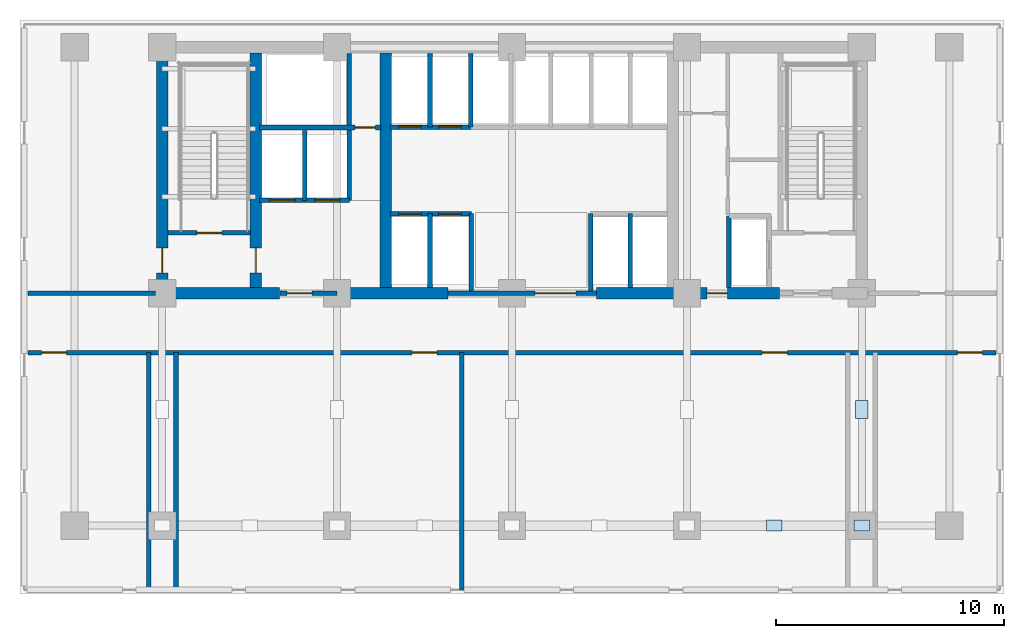
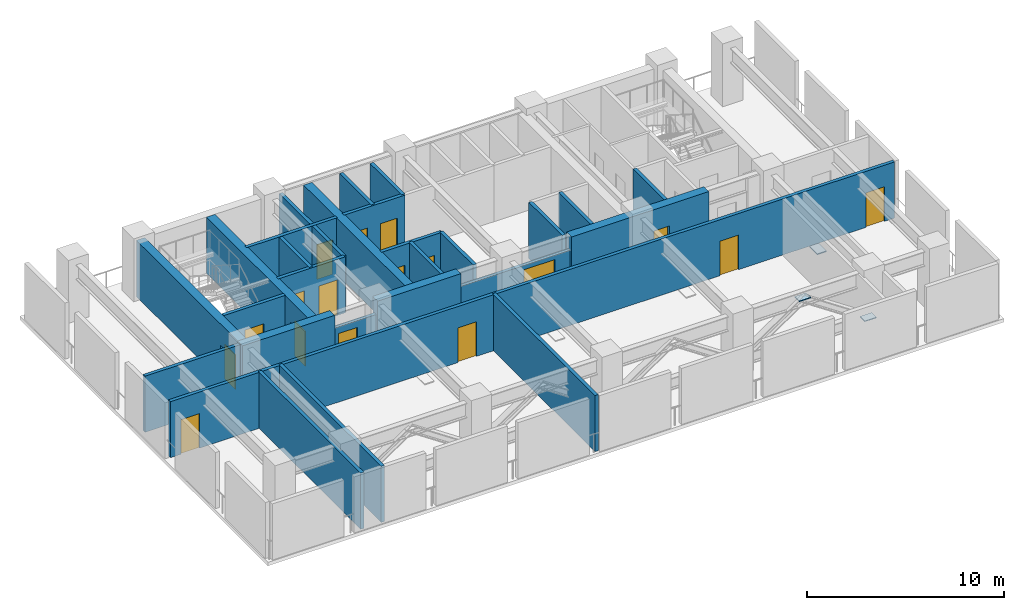
# One storey, part 2 of 7: 27 walls, 17 doors, 3 plates, 17 openings.
"""IFC4 building model written with IfcOpenShell, lengths in metres."""

import ifcopenshell
import ifcopenshell.guid

model = None  # the IFC model being written
_history = None  # IfcOwnerHistory: only IFC2X3 demands one
_inside = {}  # id of a spatial element -> (the spatial element, [elements in it])
_under = {}  # id of a project, library or spatial element -> (it, [spatial elements below it])
_declared = {}  # id of a project -> (the project, [libraries it declares])
_typed = {}  # id of a type object -> (the type object, [elements of that type])
_made_of = {}  # id of a material, layer set ... -> (it, [elements and type objects made of it])


def new_model(schema):
    """Start an empty IFC model of exactly this schema.

    Asked for "IFC4X3", IfcOpenShell would pick the latest addendum, in which some entities
    have other attributes; the version numbers below select the first issue.
    IFC2X3 requires an IfcOwnerHistory on every rooted entity: one is made here for all.
    """
    global model, _history
    if schema == "IFC4X3":
        model = ifcopenshell.file(schema_version=(4, 3, 0, 0))
    else:
        model = ifcopenshell.file(schema=schema)
    _inside.clear()
    _under.clear()
    _declared.clear()
    _typed.clear()
    _made_of.clear()
    _history = None
    if model.schema == "IFC2X3":
        org = make("IfcOrganization", Name="unknown")
        user = make(
            "IfcPersonAndOrganization",
            ThePerson=make("IfcPerson", FamilyName="unknown"),
            TheOrganization=org,
        )
        app = make(
            "IfcApplication",
            ApplicationDeveloper=org,
            Version="unknown",
            ApplicationFullName="unknown",
            ApplicationIdentifier="unknown",
        )
        _history = make(
            "IfcOwnerHistory",
            OwningUser=user,
            OwningApplication=app,
            ChangeAction="ADDED",
            CreationDate=0,
        )
    return model


def make(cls, **values):
    """One entity of the class cls with the attributes given. An attribute that is None is left unset."""
    return model.create_entity(
        cls, **{name: value for name, value in values.items() if value is not None}
    )


def rooted(cls, **values):
    """An entity with a GlobalId (a new one), such as an element, a storey or a relation."""
    return make(cls, GlobalId=ifcopenshell.guid.new(), OwnerHistory=_history, **values)


def si_unit(unit_type, name, prefix=None):
    """IfcSIUnit, for example si_unit("LENGTHUNIT", "METRE", prefix="MILLI")."""
    return make("IfcSIUnit", UnitType=unit_type, Prefix=prefix, Name=name)


def assignment(units):
    """IfcUnitAssignment: the units of a project."""
    return None if units is None else make("IfcUnitAssignment", Units=units)


def point(xyz):
    """IfcCartesianPoint."""
    return None if xyz is None else make("IfcCartesianPoint", Coordinates=xyz)


def direction(xyz):
    """IfcDirection."""
    return None if xyz is None else make("IfcDirection", DirectionRatios=xyz)


def frame(location, z_axis=None, x_axis=None):
    """IfcAxis2Placement3D, a coordinate frame: its origin and axes. An axis left out is left unset."""
    return make(
        "IfcAxis2Placement3D",
        Location=point(location),
        Axis=direction(z_axis),
        RefDirection=direction(x_axis),
    )


def frame_2d(location, x_axis=None):
    """IfcAxis2Placement2D, a coordinate frame in the plane: its origin and x axis."""
    return make(
        "IfcAxis2Placement2D", Location=point(location), RefDirection=direction(x_axis)
    )


def origin():
    """The frame at (0, 0, 0) with its axes left unset."""
    return frame((0.0, 0.0, 0.0))


def origin_2d():
    """The frame at (0, 0) in the plane with its x axis left unset."""
    return frame_2d((0.0, 0.0))


def place(relative_to, where):
    """IfcLocalPlacement: puts the frame where relative to a parent placement (None: the world)."""
    return make(
        "IfcLocalPlacement", PlacementRelTo=relative_to, RelativePlacement=where
    )


def context(
    kind, dimensions, precision=None, world=None, true_north=None, identifier=None
):
    """IfcGeometricRepresentationContext, for example the 3D "Model" context."""
    return make(
        "IfcGeometricRepresentationContext",
        ContextIdentifier=identifier,
        ContextType=kind,
        CoordinateSpaceDimension=dimensions,
        Precision=precision,
        WorldCoordinateSystem=world,
        TrueNorth=true_north,
    )


def subcontext(parent, identifier, kind, view, scale=None):
    """IfcGeometricRepresentationSubContext, for example "Body" below "Model"."""
    return make(
        "IfcGeometricRepresentationSubContext",
        ContextIdentifier=identifier,
        ContextType=kind,
        ParentContext=parent,
        TargetScale=scale,
        TargetView=view,
    )


def project(units=None, contexts=None):
    """IfcProject with its units and contexts."""
    return rooted(
        "IfcProject",
        Name="project",
        RepresentationContexts=contexts,
        UnitsInContext=assignment(units),
    )


def spatial(cls, under=None, at=None, **own):
    """A site, building, storey or space (cls), placed at a placement, below another one or the project."""
    s = rooted(cls, ObjectPlacement=at, **own)
    if under is not None:
        _under.setdefault(under.id(), (under, []))[1].append(s)
    return s


def profile(cls, at=None, kind="AREA", **sizes):
    """A parametric profile (cls). Its sizes go by their IFC names, for example OverallWidth=200.0."""
    return make(cls, ProfileType=kind, Position=at, **sizes)


def rectangle(**sizes):
    """IfcRectangleProfileDef."""
    return profile("IfcRectangleProfileDef", **sizes)


def extrude(swept, where, along, depth):
    """IfcExtrudedAreaSolid: the profile swept, set in the frame where, extruded along a direction by depth."""
    return make(
        "IfcExtrudedAreaSolid",
        SweptArea=swept,
        Position=where,
        ExtrudedDirection=direction(along),
        Depth=depth,
    )


def shape(context_of_items, identifier, shape_type, items):
    """IfcShapeRepresentation: the items that make up one representation, for example the "Body"."""
    return make(
        "IfcShapeRepresentation",
        ContextOfItems=context_of_items,
        RepresentationIdentifier=identifier,
        RepresentationType=shape_type,
        Items=items,
    )


def material(Name=None, Category=None):
    """IfcMaterial."""
    return make("IfcMaterial", Name=Name, Category=Category)


def layer(
    of_material, thickness, ventilated=None, Name=None, Category=None, Priority=None
):
    """IfcMaterialLayer: one layer of a wall or slab, of a material (None: an air gap)."""
    return make(
        "IfcMaterialLayer",
        Material=of_material,
        LayerThickness=thickness,
        IsVentilated=ventilated,
        Name=Name,
        Category=Category,
        Priority=Priority,
    )


def layer_set(layers, Name=None):
    """IfcMaterialLayerSet."""
    return make("IfcMaterialLayerSet", MaterialLayers=layers, LayerSetName=Name)


def made_of(thing, what):
    """Note that an element or type object is made of a material, layer set ...; save() writes the relation."""
    if what is not None:
        _made_of.setdefault(what.id(), (what, []))[1].append(thing)
    return thing


def type_object(cls, material=None, **own):
    """A type object (cls), such as IfcWallType, which elements share."""
    return made_of(rooted(cls, **own), material)


def element(
    cls,
    number,
    at=None,
    inside=None,
    cuts=None,
    type_object=None,
    material=None,
    context=None,
    identifier="Body",
    shape_type=None,
    held_by="IfcProductDefinitionShape",
    body=None,
    shapes=None,
    **own,
):
    """One element of the class cls, such as IfcWall. Its Tag is "e" and its number.

    at: its placement. inside: the storey or other place that contains it. cuts: it is an
    opening in that element (IfcRelVoidsElement). A single representation is given by context,
    identifier, shape_type and body (its items); several are given by shapes. held_by: the class
    of the entity that holds the representations. save() writes the other relations.
    """
    e = rooted(cls, Tag="e%d" % number, ObjectPlacement=at, **own)
    if body is not None:
        shapes = [shape(context, identifier, shape_type, body)]
    if shapes is not None:
        e.Representation = make(held_by, Representations=shapes)
    if inside is not None:
        _inside.setdefault(inside.id(), (inside, []))[1].append(e)
    if cuts is not None:
        rooted(
            "IfcRelVoidsElement", RelatingBuildingElement=cuts, RelatedOpeningElement=e
        )
    if type_object is not None:
        _typed.setdefault(type_object.id(), (type_object, []))[1].append(e)
    return made_of(e, material)


def fill(opening, filler):
    """IfcRelFillsElement: the door or window that sits in an opening."""
    return rooted(
        "IfcRelFillsElement",
        RelatingOpeningElement=opening,
        RelatedBuildingElement=filler,
    )


def aggregate(whole, parts):
    """IfcRelAggregates: a whole, such as a stair, and the parts it consists of."""
    return rooted("IfcRelAggregates", RelatingObject=whole, RelatedObjects=parts)


def save(model, path):
    """Write the relations noted so far, then the file.

    IfcRelAggregates (storeys below a building ...), IfcRelContainedInSpatialStructure (elements
    in a storey), IfcRelDefinesByType, IfcRelAssociatesMaterial and IfcRelDeclares: one each for
    every whole, place, type object, material and project.
    """
    for whole, parts in _under.values():
        aggregate(whole, parts)
    for where, things in _inside.values():
        rooted(
            "IfcRelContainedInSpatialStructure",
            RelatedElements=things,
            RelatingStructure=where,
        )
    for kind, things in _typed.values():
        rooted("IfcRelDefinesByType", RelatedObjects=things, RelatingType=kind)
    for what, things in _made_of.values():
        rooted("IfcRelAssociatesMaterial", RelatedObjects=things, RelatingMaterial=what)
    for by, libraries in _declared.values():
        rooted("IfcRelDeclares", RelatingContext=by, RelatedDefinitions=libraries)
    model.write(path)


model = new_model("IFC4")

# Units and contexts
model_context = context("Model", 3, precision=1e-05, world=origin(), true_north=direction((0.0, 1.0)))
body_context = subcontext(model_context, "Body", "Model", "MODEL_VIEW")
ifc_project = project(units=[si_unit("LENGTHUNIT", "METRE"), si_unit("AREAUNIT", "SQUARE_METRE"), si_unit("VOLUMEUNIT", "CUBIC_METRE"), si_unit("PLANEANGLEUNIT", "RADIAN"), si_unit("MASSUNIT", "GRAM", prefix="KILO")], contexts=[model_context])

# Site, building, storey
site_placement = place(None, origin())
site = spatial("IfcSite", under=ifc_project, at=site_placement, CompositionType="ELEMENT")
building_placement = place(site_placement, origin())
building = spatial("IfcBuilding", under=site, at=building_placement, Name="Yelkora Congress Tower", CompositionType="ELEMENT")
storey_placement = place(building_placement, frame((0.0, 0.0, 81.89990234375)))
storey = spatial("IfcBuildingStorey", under=building, at=storey_placement, Name="L21", CompositionType="ELEMENT", Elevation=81.89990234375)

# Plates
ifc_material_1 = material(Name="Steel S355J2", Category="steel")
ifc_layer_1 = layer(ifc_material_1, 0.050048828125)
ifc_layer_set_1 = layer_set([ifc_layer_1], Name="Steel S355J2")
plate_type_1 = type_object("IfcPlateType", Name="PLT-GUSSET-680x480", PredefinedType="USERDEFINED", material=ifc_layer_set_1)
for number, where, z_axis, x_axis, name in (
    (1, (49.919921875, 25.199951171875, 3.0048828125), (0.0, 0.0, 1.0), (1.0, 0.0, 0.0), "N1 L21 Belt Truss Apex Gusset Plate 4"),
    (2, (53.760009765625, 25.199951171875, 0.42529296875), (0.0, 0.0, 1.0), (1.0, 0.0, 0.0), "N1 L21 Belt Truss Foot Gusset Plate R"),
):
    element("IfcPlate", number, at=place(storey_placement, frame(where, z_axis=z_axis, x_axis=x_axis)), inside=storey, type_object=plate_type_1, Name=name, ObjectType="GUSSET_PLATE", PredefinedType="USERDEFINED", context=body_context, shape_type="SweptSolid", body=[
        extrude(rectangle(XDim=0.679931640625, YDim=0.47998046875, at=origin_2d()), origin(), (0.0, 0.0, 1.0), 0.050048828125),
    ])
ifc_material_2 = material(Name="Steel S460M", Category="steel")
ifc_layer_2 = layer(ifc_material_2, 0.06005859375)
ifc_layer_set_2 = layer_set([ifc_layer_2], Name="Steel S460M")
plate_type_2 = type_object("IfcPlateType", Name="PLT-GUSSET-800x560", PredefinedType="USERDEFINED", material=ifc_layer_set_2)
plate_placement = place(storey_placement, frame((53.760009765625, 30.300048828125, 1.56005859375), z_axis=(0.0, 0.0, 1.0), x_axis=(0.0, 1.0, 0.0)))
element("IfcPlate", 3, at=plate_placement, inside=storey, type_object=plate_type_2, Name="N1 Outrigger X-Brace Crossing Gusset Plate 5", ObjectType="GUSSET_PLATE", PredefinedType="USERDEFINED", context=body_context, shape_type="SweptSolid", body=[
    extrude(rectangle(XDim=0.800048828125, YDim=0.56005859375, at=origin_2d()), origin(), (0.0, 0.0, 1.0), 0.06005859375),
])

# Walls
ifc_material_3 = material(Name="Concrete C60/75", Category="concrete")
ifc_layer_3 = layer(ifc_material_3, 0.5)
ifc_layer_set_3 = layer_set([ifc_layer_3], Name="Concrete C60/75")
wall_type_1 = type_object("IfcWallType", Name="WALL-CORE-INT-500", PredefinedType="SHEAR", material=ifc_layer_set_3)
wall_1_placement = place(storey_placement, frame((22.7900390625, 35.39990234375, 0.0), z_axis=(0.0, 0.0, 1.0), x_axis=(1.0, 0.0, 0.0)))
element("IfcWall", 4, at=wall_1_placement, inside=storey, type_object=wall_type_1, Name="L21 Rear Core South-West Shear Wall", PredefinedType="SHEAR", context=body_context, shape_type="SweptSolid", body=[
    extrude(rectangle(XDim=5.409912109375, YDim=0.5, at=frame_2d((2.705078125, 0.0))), origin(), (0.0, 0.0, 1.0), 3.47998046875),
])
wall_2_placement = place(storey_placement, frame((30.719970703125, 35.39990234375, 0.0), z_axis=(0.0, 0.0, 1.0), x_axis=(1.0, 0.0, 0.0)))
element("IfcWall", 5, at=wall_2_placement, inside=storey, type_object=wall_type_1, Name="L21 Rear Core South-Center Shear Pier", PredefinedType="SHEAR", context=body_context, shape_type="SweptSolid", body=[
    extrude(rectangle(XDim=4.880126953125, YDim=0.5, at=frame_2d((2.43994140625, 0.0))), origin(), (0.0, 0.0, 1.0), 3.47998046875),
])

# Wall, opening, door
wall_3_placement = place(storey_placement, frame((42.10009765625, 35.39990234375, 0.0), z_axis=(0.0, 0.0, 1.0), x_axis=(1.0, 0.0, 0.0)))
wall_3 = element("IfcWall", 6, at=wall_3_placement, inside=storey, type_object=wall_type_1, Name="L21 Rear Core South-East Shear Wall A", PredefinedType="SHEAR", context=body_context, shape_type="SweptSolid", body=[
    extrude(rectangle(XDim=8.0498046875, YDim=0.5, at=frame_2d((4.02490234375, 0.0))), origin(), (0.0, 0.0, 1.0), 3.47998046875),
])
opening_1_placement = place(wall_3_placement, frame((4.85009765625, 0.0, 0.0)))
opening_1 = element("IfcOpeningElement", 7, at=opening_1_placement, cuts=wall_3, Name="Opening DR-090F6", PredefinedType="OPENING", context=body_context, shape_type="SweptSolid", body=[
    extrude(rectangle(XDim=0.89990234375, YDim=2.14990234375, at=frame_2d((0.449951171875, 1.074951171875))), frame((0.0, 0.260009765625, 0.0), z_axis=(0.0, -1.0, 0.0), x_axis=(1.0, 0.0, 0.0)), (0.0, 0.0, 1.0), 0.52001953125),
])
ifc_material_4 = material(Name="Painted steel riser fire door leaf", Category="steel")
door_type_1 = type_object("IfcDoorType", Name="DOOR-FD60-900", OperationType="NOTDEFINED", PredefinedType="DOOR", material=ifc_material_4)
door_1_placement = place(opening_1_placement, origin())
door_1 = element("IfcDoor", 8, at=door_1_placement, inside=storey, type_object=door_type_1, Name="L21 Core Washroom Lobby Door", OperationType="SINGLE_SWING_RIGHT", OverallHeight=2.14990234375, OverallWidth=0.89990234375, PredefinedType="DOOR", context=body_context, shape_type="SweptSolid", body=[
    extrude(rectangle(XDim=0.89990234375, YDim=2.14990234375, at=frame_2d((0.449951171875, 1.074951171875))), frame((0.0, 0.02490234375, 0.0), z_axis=(0.0, -1.0, 0.0), x_axis=(1.0, 0.0, 0.0)), (0.0, 0.0, 1.0), 0.050048828125),
])
fill(opening_1, door_1)

wall_4_placement = place(storey_placement, frame((23.0400390625, 35.64990234375, 0.0), z_axis=(0.0, 0.0, 1.0), x_axis=(0.0, 1.0, 0.0)))
wall_4 = element("IfcWall", 9, at=wall_4_placement, inside=storey, type_object=wall_type_1, Name="L21 Rear Core Cross Shear Wall W", PredefinedType="SHEAR", context=body_context, shape_type="SweptSolid", body=[
    extrude(rectangle(XDim=10.300048828125, YDim=0.5, at=frame_2d((5.14990234375, 0.0))), origin(), (0.0, 0.0, 1.0), 3.47998046875),
])
opening_2_placement = place(wall_4_placement, frame((0.64990234375, 0.0, 0.0)))
opening_2 = element("IfcOpeningElement", 10, at=opening_2_placement, cuts=wall_4, Name="Opening DR-110F9", PredefinedType="OPENING", context=body_context, shape_type="SweptSolid", body=[
    extrude(rectangle(XDim=1.10009765625, YDim=2.14990234375, at=frame_2d((0.550048828125, 1.074951171875))), frame((0.0, 0.260009765625, 0.0), z_axis=(0.0, -1.0, 0.0), x_axis=(1.0, 0.0, 0.0)), (0.0, 0.0, 1.0), 0.52001953125),
])
ifc_material_5 = material(Name="Galvanised steel fire door leaf", Category="steel")
door_type_2 = type_object("IfcDoorType", Name="DOOR-FD90-1100", OperationType="NOTDEFINED", PredefinedType="DOOR", material=ifc_material_5)
door_2_placement = place(opening_2_placement, origin())
door_2 = element("IfcDoor", 11, at=door_2_placement, inside=storey, type_object=door_type_2, Name="L21 Area of Refuge Direct Stair-Lobby Door", OperationType="SINGLE_SWING_LEFT", OverallHeight=2.14990234375, OverallWidth=1.10009765625, PredefinedType="DOOR", context=body_context, shape_type="SweptSolid", body=[
    extrude(rectangle(XDim=1.10009765625, YDim=2.14990234375, at=frame_2d((0.550048828125, 1.074951171875))), frame((0.0, 0.02490234375, 0.0), z_axis=(0.0, -1.0, 0.0), x_axis=(1.0, 0.0, 0.0)), (0.0, 0.0, 1.0), 0.050048828125),
])
fill(opening_2, door_2)

wall_5_placement = place(storey_placement, frame((27.14990234375, 35.64990234375, 0.0), z_axis=(0.0, 0.0, 1.0), x_axis=(0.0, 1.0, 0.0)))
wall_5 = element("IfcWall", 12, at=wall_5_placement, inside=storey, type_object=wall_type_1, Name="L21 Rear Core Cross Shear Wall C1", PredefinedType="SHEAR", context=body_context, shape_type="SweptSolid", body=[
    extrude(rectangle(XDim=10.300048828125, YDim=0.5, at=frame_2d((5.14990234375, 0.0))), origin(), (0.0, 0.0, 1.0), 3.47998046875),
])
opening_3_placement = place(wall_5_placement, frame((0.64990234375, 0.0, 0.0)))
opening_3 = element("IfcOpeningElement", 13, at=opening_3_placement, cuts=wall_5, Name="Opening DR-110F9", PredefinedType="OPENING", context=body_context, shape_type="SweptSolid", body=[
    extrude(rectangle(XDim=1.10009765625, YDim=2.14990234375, at=frame_2d((0.550048828125, 1.074951171875))), frame((0.0, 0.260009765625, 0.0), z_axis=(0.0, -1.0, 0.0), x_axis=(1.0, 0.0, 0.0)), (0.0, 0.0, 1.0), 0.52001953125),
])
door_3_placement = place(opening_3_placement, origin())
door_3 = element("IfcDoor", 14, at=door_3_placement, inside=storey, type_object=door_type_2, Name="L21 Firefighting Stair Transfer Door", OperationType="SINGLE_SWING_LEFT", OverallHeight=2.14990234375, OverallWidth=1.10009765625, PredefinedType="DOOR", context=body_context, shape_type="SweptSolid", body=[
    extrude(rectangle(XDim=1.10009765625, YDim=2.14990234375, at=frame_2d((0.550048828125, 1.074951171875))), frame((0.0, 0.02490234375, 0.0), z_axis=(0.0, -1.0, 0.0), x_axis=(1.0, 0.0, 0.0)), (0.0, 0.0, 1.0), 0.050048828125),
])
fill(opening_3, door_3)

# Wall
wall_6_placement = place(storey_placement, frame((32.85009765625, 35.64990234375, 0.0), z_axis=(0.0, 0.0, 1.0), x_axis=(0.0, 1.0, 0.0)))
element("IfcWall", 15, at=wall_6_placement, inside=storey, type_object=wall_type_1, Name="L21 Rear Core Cross Shear Wall C2", PredefinedType="SHEAR", context=body_context, shape_type="SweptSolid", body=[
    extrude(rectangle(XDim=10.300048828125, YDim=0.5, at=frame_2d((5.14990234375, 0.0))), origin(), (0.0, 0.0, 1.0), 3.47998046875),
])

# Wall, opening, door
ifc_material_6 = material(Name="Autoclaved aerated concrete blockwork", Category="masonry")
ifc_layer_4 = layer(ifc_material_6, 0.199951171875)
ifc_layer_set_4 = layer_set([ifc_layer_4], Name="Autoclaved aerated concrete blockwork")
wall_type_2 = type_object("IfcWallType", Name="WALL-INT-200-R120", PredefinedType="PARTITIONING", material=ifc_layer_set_4)
wall_7_placement = place(storey_placement, frame((23.300048828125, 38.050048828125, 0.0), z_axis=(0.0, 0.0, 1.0), x_axis=(1.0, 0.0, 0.0)))
wall_7 = element("IfcWall", 16, at=wall_7_placement, inside=storey, type_object=wall_type_2, Name="L21 Stair ST-01 Enclosure Wall", PredefinedType="PARTITIONING", context=body_context, shape_type="SweptSolid", body=[
    extrude(rectangle(XDim=3.619873046875, YDim=0.199951171875, at=frame_2d((1.81005859375, 0.0))), origin(), (0.0, 0.0, 1.0), 3.47998046875),
])
opening_4_placement = place(wall_7_placement, frame((1.260009765625, 0.0, 0.0)))
opening_4 = element("IfcOpeningElement", 17, at=opening_4_placement, cuts=wall_7, Name="Opening DR-110F9", PredefinedType="OPENING", context=body_context, shape_type="SweptSolid", body=[
    extrude(rectangle(XDim=1.10009765625, YDim=2.14990234375, at=frame_2d((0.550048828125, 1.074951171875))), frame((0.0, 0.10986328125, 0.0), z_axis=(0.0, -1.0, 0.0), x_axis=(1.0, 0.0, 0.0)), (0.0, 0.0, 1.0), 0.219970703125),
])
door_4_placement = place(opening_4_placement, origin())
door_4 = element("IfcDoor", 18, at=door_4_placement, inside=storey, type_object=door_type_2, Name="L21 Stair ST-01 Entry Door", OperationType="SINGLE_SWING_LEFT", OverallHeight=2.14990234375, OverallWidth=1.10009765625, PredefinedType="DOOR", context=body_context, shape_type="SweptSolid", body=[
    extrude(rectangle(XDim=1.10009765625, YDim=2.14990234375, at=frame_2d((0.550048828125, 1.074951171875))), frame((0.0, 0.02490234375, 0.0), z_axis=(0.0, -1.0, 0.0), x_axis=(1.0, 0.0, 0.0)), (0.0, 0.0, 1.0), 0.050048828125),
])
fill(opening_4, door_4)

wall_8_placement = place(storey_placement, frame((28.219970703125, 35.39990234375, 0.0), z_axis=(0.0, 0.0, 1.0), x_axis=(1.0, 0.0, 0.0)))
wall_8 = element("IfcWall", 19, at=wall_8_placement, inside=storey, type_object=wall_type_2, Name="L21 Firefighting Lobby South Wall", PredefinedType="PARTITIONING", context=body_context, shape_type="SweptSolid", body=[
    extrude(rectangle(XDim=2.5, YDim=0.199951171875, at=frame_2d((1.25, 0.0))), origin(), (0.0, 0.0, 1.0), 2.565185546875),
])
opening_5_placement = place(wall_8_placement, frame((0.300048828125, 0.0, 0.0)))
opening_5 = element("IfcOpeningElement", 20, at=opening_5_placement, cuts=wall_8, Name="Opening DR-110F9", PredefinedType="OPENING", context=body_context, shape_type="SweptSolid", body=[
    extrude(rectangle(XDim=1.10009765625, YDim=2.14990234375, at=frame_2d((0.550048828125, 1.074951171875))), frame((0.0, 0.10986328125, 0.0), z_axis=(0.0, -1.0, 0.0), x_axis=(1.0, 0.0, 0.0)), (0.0, 0.0, 1.0), 0.219970703125),
])
door_5_placement = place(opening_5_placement, origin())
door_5 = element("IfcDoor", 21, at=door_5_placement, inside=storey, type_object=door_type_2, Name="L21 Firefighting Lobby Corridor Door", OperationType="SINGLE_SWING_RIGHT", OverallHeight=2.14990234375, OverallWidth=1.10009765625, PredefinedType="DOOR", context=body_context, shape_type="SweptSolid", body=[
    extrude(rectangle(XDim=1.10009765625, YDim=2.14990234375, at=frame_2d((0.550048828125, 1.074951171875))), frame((0.0, 0.02490234375, 0.0), z_axis=(0.0, -1.0, 0.0), x_axis=(1.0, 0.0, 0.0)), (0.0, 0.0, 1.0), 0.050048828125),
])
fill(opening_5, door_5)

# Wall, openings, doors
wall_9_placement = place(storey_placement, frame((27.320068359375, 39.47998046875, 0.0), z_axis=(0.0, 0.0, 1.0), x_axis=(1.0, 0.0, 0.0)))
wall_9 = element("IfcWall", 22, at=wall_9_placement, inside=storey, type_object=wall_type_2, Name="L21 Firefighting Lift Front Wall", PredefinedType="PARTITIONING", context=body_context, shape_type="SweptSolid", body=[
    extrude(rectangle(XDim=3.93994140625, YDim=0.199951171875, at=frame_2d((1.969970703125, 0.0))), origin(), (0.0, 0.0, 1.0), 3.47998046875),
])
opening_6_placement = place(wall_9_placement, frame((0.449951171875, 0.0, 0.0)))
opening_6 = element("IfcOpeningElement", 23, at=opening_6_placement, cuts=wall_9, Name="Opening LD-FF11", PredefinedType="OPENING", context=body_context, shape_type="SweptSolid", body=[
    extrude(rectangle(XDim=1.10009765625, YDim=2.199951171875, at=frame_2d((0.550048828125, 1.10009765625))), frame((0.0, 0.10986328125, 0.0), z_axis=(0.0, -1.0, 0.0), x_axis=(1.0, 0.0, 0.0)), (0.0, 0.0, 1.0), 0.219970703125),
])
opening_7_placement = place(wall_9_placement, frame((2.409912109375, 0.0, 0.0)))
opening_7 = element("IfcOpeningElement", 24, at=opening_7_placement, cuts=wall_9, Name="Opening LD-FF11", PredefinedType="OPENING", context=body_context, shape_type="SweptSolid", body=[
    extrude(rectangle(XDim=1.10009765625, YDim=2.199951171875, at=frame_2d((0.550048828125, 1.10009765625))), frame((0.0, 0.10986328125, 0.0), z_axis=(0.0, -1.0, 0.0), x_axis=(1.0, 0.0, 0.0)), (0.0, 0.0, 1.0), 0.219970703125),
])
ifc_material_7 = material(Name="Brushed stainless steel 316L landing door", Category="steel")
door_type_3 = type_object("IfcDoorType", Name="DOOR-LIFT-FF-1100", OperationType="DOUBLE_DOOR_SLIDING", PredefinedType="DOOR", material=ifc_material_7)
door_6_placement = place(opening_6_placement, origin())
door_6 = element("IfcDoor", 25, at=door_6_placement, inside=storey, type_object=door_type_3, Name="Lift Landing Door LF-FF1 L21", OperationType="DOUBLE_DOOR_SLIDING", OverallHeight=2.199951171875, OverallWidth=1.10009765625, PredefinedType="DOOR", context=body_context, shape_type="SweptSolid", body=[
    extrude(rectangle(XDim=1.10009765625, YDim=2.199951171875, at=frame_2d((0.550048828125, 1.10009765625))), frame((0.0, 0.02490234375, 0.0), z_axis=(0.0, -1.0, 0.0), x_axis=(1.0, 0.0, 0.0)), (0.0, 0.0, 1.0), 0.050048828125),
])
fill(opening_6, door_6)
door_7_placement = place(opening_7_placement, origin())
door_7 = element("IfcDoor", 26, at=door_7_placement, inside=storey, type_object=door_type_3, Name="Lift Landing Door LF-FF2 L21", OperationType="DOUBLE_DOOR_SLIDING", OverallHeight=2.199951171875, OverallWidth=1.10009765625, PredefinedType="DOOR", context=body_context, shape_type="SweptSolid", body=[
    extrude(rectangle(XDim=1.10009765625, YDim=2.199951171875, at=frame_2d((0.550048828125, 1.10009765625))), frame((0.0, 0.02490234375, 0.0), z_axis=(0.0, -1.0, 0.0), x_axis=(1.0, 0.0, 0.0)), (0.0, 0.0, 1.0), 0.050048828125),
])
fill(opening_7, door_7)

# Walls
wall_10_placement = place(storey_placement, frame((29.300048828125, 39.47998046875, 0.0), z_axis=(0.0, 0.0, 1.0), x_axis=(0.0, 1.0, 0.0)))
element("IfcWall", 27, at=wall_10_placement, inside=storey, type_object=wall_type_2, Name="L21 Partition Wall 4", PredefinedType="PARTITIONING", context=body_context, shape_type="SweptSolid", body=[
    extrude(rectangle(XDim=3.070068359375, YDim=0.199951171875, at=frame_2d((1.53515625, 0.0))), origin(), (0.0, 0.0, 1.0), 3.47998046875),
])
wall_11_placement = place(storey_placement, frame((31.260009765625, 39.47998046875, 0.0), z_axis=(0.0, 0.0, 1.0), x_axis=(0.0, 1.0, 0.0)))
element("IfcWall", 28, at=wall_11_placement, inside=storey, type_object=wall_type_2, Name="L21 Partition Wall 5", PredefinedType="PARTITIONING", context=body_context, shape_type="SweptSolid", body=[
    extrude(rectangle(XDim=6.43994140625, YDim=0.199951171875, at=frame_2d((3.219970703125, 0.0))), origin(), (0.0, 0.0, 1.0), 3.47998046875),
])

# Wall, opening, door
wall_12_placement = place(storey_placement, frame((27.320068359375, 42.679931640625, 0.0), z_axis=(0.0, 0.0, 1.0), x_axis=(1.0, 0.0, 0.0)))
wall_12 = element("IfcWall", 29, at=wall_12_placement, inside=storey, type_object=wall_type_2, Name="L21 Smoke Riser South Wall", PredefinedType="PARTITIONING", context=body_context, shape_type="SweptSolid", body=[
    extrude(rectangle(XDim=5.329833984375, YDim=0.199951171875, at=frame_2d((2.6650390625, 0.0))), origin(), (0.0, 0.0, 1.0), 3.47998046875),
])
opening_8_placement = place(wall_12_placement, frame((4.179931640625, 0.0, 0.0)))
opening_8 = element("IfcOpeningElement", 30, at=opening_8_placement, cuts=wall_12, Name="Opening DR-090F6", PredefinedType="OPENING", context=body_context, shape_type="SweptSolid", body=[
    extrude(rectangle(XDim=0.89990234375, YDim=2.14990234375, at=frame_2d((0.449951171875, 1.074951171875))), frame((0.0, 0.10986328125, 0.0), z_axis=(0.0, -1.0, 0.0), x_axis=(1.0, 0.0, 0.0)), (0.0, 0.0, 1.0), 0.219970703125),
])
door_8_placement = place(opening_8_placement, origin())
door_8 = element("IfcDoor", 31, at=door_8_placement, inside=storey, type_object=door_type_1, Name="L21 Riser Access Door", OperationType="SINGLE_SWING_LEFT", OverallHeight=2.14990234375, OverallWidth=0.89990234375, PredefinedType="DOOR", context=body_context, shape_type="SweptSolid", body=[
    extrude(rectangle(XDim=0.89990234375, YDim=2.14990234375, at=frame_2d((0.449951171875, 1.074951171875))), frame((0.0, 0.02490234375, 0.0), z_axis=(0.0, -1.0, 0.0), x_axis=(1.0, 0.0, 0.0)), (0.0, 0.0, 1.0), 0.050048828125),
])
fill(opening_8, door_8)

wall_13_placement = place(storey_placement, frame((35.60009765625, 35.39990234375, 0.0), z_axis=(0.0, 0.0, 1.0), x_axis=(1.0, 0.0, 0.0)))
wall_13 = element("IfcWall", 32, at=wall_13_placement, inside=storey, type_object=wall_type_2, Name="L21 Main Lift Lobby South Portal Wall", PredefinedType="PARTITIONING", context=body_context, shape_type="SweptSolid", body=[
    extrude(rectangle(XDim=6.5, YDim=0.199951171875, at=frame_2d((3.25, 0.0))), origin(), (0.0, 0.0, 1.0), 2.565185546875),
])
opening_9_placement = place(wall_13_placement, frame((3.800048828125, 0.0, 0.0)))
opening_9 = element("IfcOpeningElement", 33, at=opening_9_placement, cuts=wall_13, Name="Opening DR-180D", PredefinedType="OPENING", context=body_context, shape_type="SweptSolid", body=[
    extrude(rectangle(XDim=1.800048828125, YDim=2.300048828125, at=frame_2d((0.89990234375, 1.14990234375))), frame((0.0, 0.10986328125, 0.0), z_axis=(0.0, -1.0, 0.0), x_axis=(1.0, 0.0, 0.0)), (0.0, 0.0, 1.0), 0.219970703125),
])
ifc_material_8 = material(Name="Acoustic double congress hall doors", Category="wood")
door_type_4 = type_object("IfcDoorType", Name="DOOR-DBL-1800", OperationType="DOUBLE_DOOR_SINGLE_SWING", PredefinedType="DOOR", material=ifc_material_8)
door_9_placement = place(opening_9_placement, origin())
door_9 = element("IfcDoor", 34, at=door_9_placement, inside=storey, type_object=door_type_4, Name="L21 Main Lift Lobby Portal Door", OperationType="DOUBLE_DOOR_SINGLE_SWING", OverallHeight=2.300048828125, OverallWidth=1.800048828125, PredefinedType="DOOR", context=body_context, shape_type="SweptSolid", body=[
    extrude(rectangle(XDim=1.800048828125, YDim=2.300048828125, at=frame_2d((0.89990234375, 1.14990234375))), frame((0.0, 0.02490234375, 0.0), z_axis=(0.0, -1.0, 0.0), x_axis=(1.0, 0.0, 0.0)), (0.0, 0.0, 1.0), 0.050048828125),
])
fill(opening_9, door_9)

# Wall, openings, doors
wall_14_placement = place(storey_placement, frame((33.050048828125, 38.89990234375, 0.0), z_axis=(0.0, 0.0, 1.0), x_axis=(1.0, 0.0, 0.0)))
wall_14 = element("IfcWall", 35, at=wall_14_placement, inside=storey, type_object=wall_type_2, Name="L21 Partition Wall 11", PredefinedType="PARTITIONING", context=body_context, shape_type="SweptSolid", body=[
    extrude(rectangle(XDim=3.570068359375, YDim=0.199951171875, at=frame_2d((1.78515625, 0.0))), origin(), (0.0, 0.0, 1.0), 3.47998046875),
])
opening_10_placement = place(wall_14_placement, frame((0.375, 0.0, 0.0)))
opening_10 = element("IfcOpeningElement", 36, at=opening_10_placement, cuts=wall_14, Name="Opening LD-PS10", PredefinedType="OPENING", context=body_context, shape_type="SweptSolid", body=[
    extrude(rectangle(XDim=1.0, YDim=2.199951171875, at=frame_2d((0.5, 1.10009765625))), frame((0.0, 0.10986328125, 0.0), z_axis=(0.0, -1.0, 0.0), x_axis=(1.0, 0.0, 0.0)), (0.0, 0.0, 1.0), 0.219970703125),
])
opening_11_placement = place(wall_14_placement, frame((2.125, 0.0, 0.0)))
opening_11 = element("IfcOpeningElement", 37, at=opening_11_placement, cuts=wall_14, Name="Opening LD-PS10", PredefinedType="OPENING", context=body_context, shape_type="SweptSolid", body=[
    extrude(rectangle(XDim=1.0, YDim=2.199951171875, at=frame_2d((0.5, 1.10009765625))), frame((0.0, 0.10986328125, 0.0), z_axis=(0.0, -1.0, 0.0), x_axis=(1.0, 0.0, 0.0)), (0.0, 0.0, 1.0), 0.219970703125),
])
ifc_material_9 = material(Name="Champagne stainless steel landing door", Category="steel")
door_type_5 = type_object("IfcDoorType", Name="DOOR-LIFT-PAS-1000", OperationType="DOUBLE_DOOR_SLIDING", PredefinedType="DOOR", material=ifc_material_9)
door_10_placement = place(opening_10_placement, origin())
door_10 = element("IfcDoor", 38, at=door_10_placement, inside=storey, type_object=door_type_5, Name="Lift Landing Door LF-P1 L21", OperationType="DOUBLE_DOOR_SLIDING", OverallHeight=2.199951171875, OverallWidth=1.0, PredefinedType="DOOR", context=body_context, shape_type="SweptSolid", body=[
    extrude(rectangle(XDim=1.0, YDim=2.199951171875, at=frame_2d((0.5, 1.10009765625))), frame((0.0, 0.02490234375, 0.0), z_axis=(0.0, -1.0, 0.0), x_axis=(1.0, 0.0, 0.0)), (0.0, 0.0, 1.0), 0.050048828125),
])
fill(opening_10, door_10)
door_11_placement = place(opening_11_placement, origin())
door_11 = element("IfcDoor", 39, at=door_11_placement, inside=storey, type_object=door_type_5, Name="Lift Landing Door LF-P2 L21", OperationType="DOUBLE_DOOR_SLIDING", OverallHeight=2.199951171875, OverallWidth=1.0, PredefinedType="DOOR", context=body_context, shape_type="SweptSolid", body=[
    extrude(rectangle(XDim=1.0, YDim=2.199951171875, at=frame_2d((0.5, 1.10009765625))), frame((0.0, 0.02490234375, 0.0), z_axis=(0.0, -1.0, 0.0), x_axis=(1.0, 0.0, 0.0)), (0.0, 0.0, 1.0), 0.050048828125),
])
fill(opening_11, door_11)

wall_15_placement = place(storey_placement, frame((33.050048828125, 42.699951171875, 0.0), z_axis=(0.0, 0.0, 1.0), x_axis=(1.0, 0.0, 0.0)))
wall_15 = element("IfcWall", 40, at=wall_15_placement, inside=storey, type_object=wall_type_2, Name="L21 Partition Wall 12", PredefinedType="PARTITIONING", context=body_context, shape_type="SweptSolid", body=[
    extrude(rectangle(XDim=3.570068359375, YDim=0.199951171875, at=frame_2d((1.78515625, 0.0))), origin(), (0.0, 0.0, 1.0), 3.47998046875),
])
opening_12_placement = place(wall_15_placement, frame((0.375, 0.0, 0.0)))
opening_12 = element("IfcOpeningElement", 41, at=opening_12_placement, cuts=wall_15, Name="Opening LD-PS10", PredefinedType="OPENING", context=body_context, shape_type="SweptSolid", body=[
    extrude(rectangle(XDim=1.0, YDim=2.199951171875, at=frame_2d((0.5, 1.10009765625))), frame((0.0, 0.10986328125, 0.0), z_axis=(0.0, -1.0, 0.0), x_axis=(1.0, 0.0, 0.0)), (0.0, 0.0, 1.0), 0.219970703125),
])
opening_13_placement = place(wall_15_placement, frame((2.125, 0.0, 0.0)))
opening_13 = element("IfcOpeningElement", 42, at=opening_13_placement, cuts=wall_15, Name="Opening LD-PS10", PredefinedType="OPENING", context=body_context, shape_type="SweptSolid", body=[
    extrude(rectangle(XDim=1.0, YDim=2.199951171875, at=frame_2d((0.5, 1.10009765625))), frame((0.0, 0.10986328125, 0.0), z_axis=(0.0, -1.0, 0.0), x_axis=(1.0, 0.0, 0.0)), (0.0, 0.0, 1.0), 0.219970703125),
])
door_12_placement = place(opening_12_placement, origin())
door_12 = element("IfcDoor", 43, at=door_12_placement, inside=storey, type_object=door_type_5, Name="Lift Landing Door LF-P3 L21", OperationType="DOUBLE_DOOR_SLIDING", OverallHeight=2.199951171875, OverallWidth=1.0, PredefinedType="DOOR", context=body_context, shape_type="SweptSolid", body=[
    extrude(rectangle(XDim=1.0, YDim=2.199951171875, at=frame_2d((0.5, 1.10009765625))), frame((0.0, 0.02490234375, 0.0), z_axis=(0.0, -1.0, 0.0), x_axis=(1.0, 0.0, 0.0)), (0.0, 0.0, 1.0), 0.050048828125),
])
fill(opening_12, door_12)
door_13_placement = place(opening_13_placement, origin())
door_13 = element("IfcDoor", 44, at=door_13_placement, inside=storey, type_object=door_type_5, Name="Lift Landing Door LF-P4 L21", OperationType="DOUBLE_DOOR_SLIDING", OverallHeight=2.199951171875, OverallWidth=1.0, PredefinedType="DOOR", context=body_context, shape_type="SweptSolid", body=[
    extrude(rectangle(XDim=1.0, YDim=2.199951171875, at=frame_2d((0.5, 1.10009765625))), frame((0.0, 0.02490234375, 0.0), z_axis=(0.0, -1.0, 0.0), x_axis=(1.0, 0.0, 0.0)), (0.0, 0.0, 1.0), 0.050048828125),
])
fill(opening_13, door_13)

# Walls
wall_16_placement = place(storey_placement, frame((34.800048828125, 35.64990234375, 0.0), z_axis=(0.0, 0.0, 1.0), x_axis=(0.0, 1.0, 0.0)))
element("IfcWall", 45, at=wall_16_placement, inside=storey, type_object=wall_type_2, Name="L21 Partition Wall 13", PredefinedType="PARTITIONING", context=body_context, shape_type="SweptSolid", body=[
    extrude(rectangle(XDim=3.25, YDim=0.199951171875, at=frame_2d((1.625, 0.0))), origin(), (0.0, 0.0, 1.0), 3.47998046875),
])
wall_17_placement = place(storey_placement, frame((34.800048828125, 42.699951171875, 0.0), z_axis=(0.0, 0.0, 1.0), x_axis=(0.0, 1.0, 0.0)))
element("IfcWall", 46, at=wall_17_placement, inside=storey, type_object=wall_type_2, Name="L21 Partition Wall 14", PredefinedType="PARTITIONING", context=body_context, shape_type="SweptSolid", body=[
    extrude(rectangle(XDim=3.219970703125, YDim=0.199951171875, at=frame_2d((1.60986328125, 0.0))), origin(), (0.0, 0.0, 1.0), 3.47998046875),
])
wall_18_placement = place(storey_placement, frame((36.6201171875, 35.5, 0.0), z_axis=(0.0, 0.0, 1.0), x_axis=(0.0, 1.0, 0.0)))
element("IfcWall", 47, at=wall_18_placement, inside=storey, type_object=wall_type_2, Name="L21 Partition Wall 15", PredefinedType="PARTITIONING", context=body_context, shape_type="SweptSolid", body=[
    extrude(rectangle(XDim=3.39990234375, YDim=0.199951171875, at=frame_2d((1.699951171875, 0.0))), origin(), (0.0, 0.0, 1.0), 3.47998046875),
])
wall_19_placement = place(storey_placement, frame((36.580078125, 42.699951171875, 0.0), z_axis=(0.0, 0.0, 1.0), x_axis=(0.0, 1.0, 0.0)))
element("IfcWall", 48, at=wall_19_placement, inside=storey, type_object=wall_type_2, Name="L21 Partition Wall 16", PredefinedType="PARTITIONING", context=body_context, shape_type="SweptSolid", body=[
    extrude(rectangle(XDim=3.219970703125, YDim=0.199951171875, at=frame_2d((1.60986328125, 0.0))), origin(), (0.0, 0.0, 1.0), 3.47998046875),
])
wall_20_placement = place(storey_placement, frame((43.60009765625, 35.64990234375, 0.0), z_axis=(0.0, 0.0, 1.0), x_axis=(0.0, 1.0, 0.0)))
element("IfcWall", 49, at=wall_20_placement, inside=storey, type_object=wall_type_2, Name="L21 Partition Wall 19", PredefinedType="PARTITIONING", context=body_context, shape_type="SweptSolid", body=[
    extrude(rectangle(XDim=3.25, YDim=0.199951171875, at=frame_2d((1.625, 0.0))), origin(), (0.0, 0.0, 1.0), 3.47998046875),
])
wall_21_placement = place(storey_placement, frame((41.85009765625, 35.5, 0.0), z_axis=(0.0, 0.0, 1.0), x_axis=(0.0, 1.0, 0.0)))
element("IfcWall", 50, at=wall_21_placement, inside=storey, type_object=wall_type_2, Name="L21 Partition Wall 21", PredefinedType="PARTITIONING", context=body_context, shape_type="SweptSolid", body=[
    extrude(rectangle(XDim=3.39990234375, YDim=0.199951171875, at=frame_2d((1.699951171875, 0.0))), origin(), (0.0, 0.0, 1.0), 3.47998046875),
])
wall_22_placement = place(storey_placement, frame((47.919921875, 35.64990234375, 0.0), z_axis=(0.0, 0.0, 1.0), x_axis=(0.0, 1.0, 0.0)))
element("IfcWall", 51, at=wall_22_placement, inside=storey, type_object=wall_type_2, Name="L21 Partition Wall 26", PredefinedType="PARTITIONING", context=body_context, shape_type="SweptSolid", body=[
    extrude(rectangle(XDim=3.150146484375, YDim=0.199951171875, at=frame_2d((1.5751953125, 0.0))), origin(), (0.0, 0.0, 1.0), 3.47998046875),
])
wall_23_placement = place(storey_placement, frame((17.14990234375, 35.39990234375, 0.0), z_axis=(0.0, 0.0, 1.0), x_axis=(1.0, 0.0, 0.0)))
element("IfcWall", 52, at=wall_23_placement, inside=storey, type_object=wall_type_2, Name="L21 Partition Wall 31", PredefinedType="PARTITIONING", context=body_context, shape_type="SweptSolid", body=[
    extrude(rectangle(XDim=5.60009765625, YDim=0.199951171875, at=frame_2d((2.800048828125, 0.0))), origin(), (0.0, 0.0, 1.0), 3.47998046875),
])
for number, where, z_axis, x_axis, name in (
    (53, (22.449951171875, 22.3798828125, 0.0), (0.0, 0.0, 1.0), (0.0, 1.0, 0.0), "L21 Partition Wall 33"),
    (54, (23.64990234375, 22.3798828125, 0.0), (0.0, 0.0, 1.0), (0.0, 1.0, 0.0), "L21 Partition Wall 34"),
    (55, (36.199951171875, 22.3798828125, 0.0), (0.0, 0.0, 1.0), (0.0, 1.0, 0.0), "L21 Partition Wall 35"),
):
    element("IfcWall", number, at=place(storey_placement, frame(where, z_axis=z_axis, x_axis=x_axis)), inside=storey, type_object=wall_type_2, Name=name, PredefinedType="PARTITIONING", context=body_context, shape_type="SweptSolid", body=[
        extrude(rectangle(XDim=10.420166015625, YDim=0.199951171875, at=frame_2d((5.2099609375, 0.0))), origin(), (0.0, 0.0, 1.0), 3.47998046875),
    ])

# Wall, openings, doors
wall_24_placement = place(storey_placement, frame((17.14990234375, 32.800048828125, 0.0), z_axis=(0.0, 0.0, 1.0), x_axis=(1.0, 0.0, 0.0)))
wall_24 = element("IfcWall", 56, at=wall_24_placement, inside=storey, type_object=wall_type_2, Name="L21 Partition Wall 38", PredefinedType="PARTITIONING", context=body_context, shape_type="SweptSolid", body=[
    extrude(rectangle(XDim=42.5, YDim=0.199951171875, at=frame_2d((21.25, 0.0))), origin(), (0.0, 0.0, 1.0), 3.47998046875),
])
opening_14_placement = place(wall_24_placement, frame((0.60009765625, 0.0, 0.0)))
opening_14 = element("IfcOpeningElement", 57, at=opening_14_placement, cuts=wall_24, Name="Opening DR-110F9", PredefinedType="OPENING", context=body_context, shape_type="SweptSolid", body=[
    extrude(rectangle(XDim=1.10009765625, YDim=2.14990234375, at=frame_2d((0.550048828125, 1.074951171875))), frame((0.0, 0.10986328125, 0.0), z_axis=(0.0, -1.0, 0.0), x_axis=(1.0, 0.0, 0.0)), (0.0, 0.0, 1.0), 0.219970703125),
])
opening_15_placement = place(wall_24_placement, frame((16.862060546875, 0.0, 0.0)))
opening_15 = element("IfcOpeningElement", 58, at=opening_15_placement, cuts=wall_24, Name="Opening DR-110F9", PredefinedType="OPENING", context=body_context, shape_type="SweptSolid", body=[
    extrude(rectangle(XDim=1.10009765625, YDim=2.14990234375, at=frame_2d((0.550048828125, 1.074951171875))), frame((0.0, 0.10986328125, 0.0), z_axis=(0.0, -1.0, 0.0), x_axis=(1.0, 0.0, 0.0)), (0.0, 0.0, 1.0), 0.219970703125),
])
opening_16_placement = place(wall_24_placement, frame((32.235107421875, 0.0, 0.0)))
opening_16 = element("IfcOpeningElement", 59, at=opening_16_placement, cuts=wall_24, Name="Opening DR-110F9", PredefinedType="OPENING", context=body_context, shape_type="SweptSolid", body=[
    extrude(rectangle(XDim=1.10009765625, YDim=2.14990234375, at=frame_2d((0.550048828125, 1.074951171875))), frame((0.0, 0.10986328125, 0.0), z_axis=(0.0, -1.0, 0.0), x_axis=(1.0, 0.0, 0.0)), (0.0, 0.0, 1.0), 0.219970703125),
])
opening_17_placement = place(wall_24_placement, frame((40.800048828125, 0.0, 0.0)))
opening_17 = element("IfcOpeningElement", 60, at=opening_17_placement, cuts=wall_24, Name="Opening DR-110F9", PredefinedType="OPENING", context=body_context, shape_type="SweptSolid", body=[
    extrude(rectangle(XDim=1.10009765625, YDim=2.14990234375, at=frame_2d((0.550048828125, 1.074951171875))), frame((0.0, 0.10986328125, 0.0), z_axis=(0.0, -1.0, 0.0), x_axis=(1.0, 0.0, 0.0)), (0.0, 0.0, 1.0), 0.219970703125),
])
door_14_placement = place(opening_14_placement, origin())
door_14 = element("IfcDoor", 61, at=door_14_placement, inside=storey, type_object=door_type_2, Name="L21 Interior Door 18", OperationType="SINGLE_SWING_RIGHT", OverallHeight=2.14990234375, OverallWidth=1.10009765625, PredefinedType="DOOR", context=body_context, shape_type="SweptSolid", body=[
    extrude(rectangle(XDim=1.10009765625, YDim=2.14990234375, at=frame_2d((0.550048828125, 1.074951171875))), frame((0.0, 0.02490234375, 0.0), z_axis=(0.0, -1.0, 0.0), x_axis=(1.0, 0.0, 0.0)), (0.0, 0.0, 1.0), 0.050048828125),
])
fill(opening_14, door_14)
door_15_placement = place(opening_15_placement, origin())
door_15 = element("IfcDoor", 62, at=door_15_placement, inside=storey, type_object=door_type_2, Name="L21 Interior Door 19", OperationType="SINGLE_SWING_LEFT", OverallHeight=2.14990234375, OverallWidth=1.10009765625, PredefinedType="DOOR", context=body_context, shape_type="SweptSolid", body=[
    extrude(rectangle(XDim=1.10009765625, YDim=2.14990234375, at=frame_2d((0.550048828125, 1.074951171875))), frame((0.0, 0.02490234375, 0.0), z_axis=(0.0, -1.0, 0.0), x_axis=(1.0, 0.0, 0.0)), (0.0, 0.0, 1.0), 0.050048828125),
])
fill(opening_15, door_15)
door_16_placement = place(opening_16_placement, origin())
door_16 = element("IfcDoor", 63, at=door_16_placement, inside=storey, type_object=door_type_2, Name="L21 Interior Door 20", OperationType="SINGLE_SWING_RIGHT", OverallHeight=2.14990234375, OverallWidth=1.10009765625, PredefinedType="DOOR", context=body_context, shape_type="SweptSolid", body=[
    extrude(rectangle(XDim=1.10009765625, YDim=2.14990234375, at=frame_2d((0.550048828125, 1.074951171875))), frame((0.0, 0.02490234375, 0.0), z_axis=(0.0, -1.0, 0.0), x_axis=(1.0, 0.0, 0.0)), (0.0, 0.0, 1.0), 0.050048828125),
])
fill(opening_16, door_16)
door_17_placement = place(opening_17_placement, origin())
door_17 = element("IfcDoor", 64, at=door_17_placement, inside=storey, type_object=door_type_2, Name="L21 Interior Door 21", OperationType="SINGLE_SWING_LEFT", OverallHeight=2.14990234375, OverallWidth=1.10009765625, PredefinedType="DOOR", context=body_context, shape_type="SweptSolid", body=[
    extrude(rectangle(XDim=1.10009765625, YDim=2.14990234375, at=frame_2d((0.550048828125, 1.074951171875))), frame((0.0, 0.02490234375, 0.0), z_axis=(0.0, -1.0, 0.0), x_axis=(1.0, 0.0, 0.0)), (0.0, 0.0, 1.0), 0.050048828125),
])
fill(opening_17, door_17)

save(model, "model.ifc")
